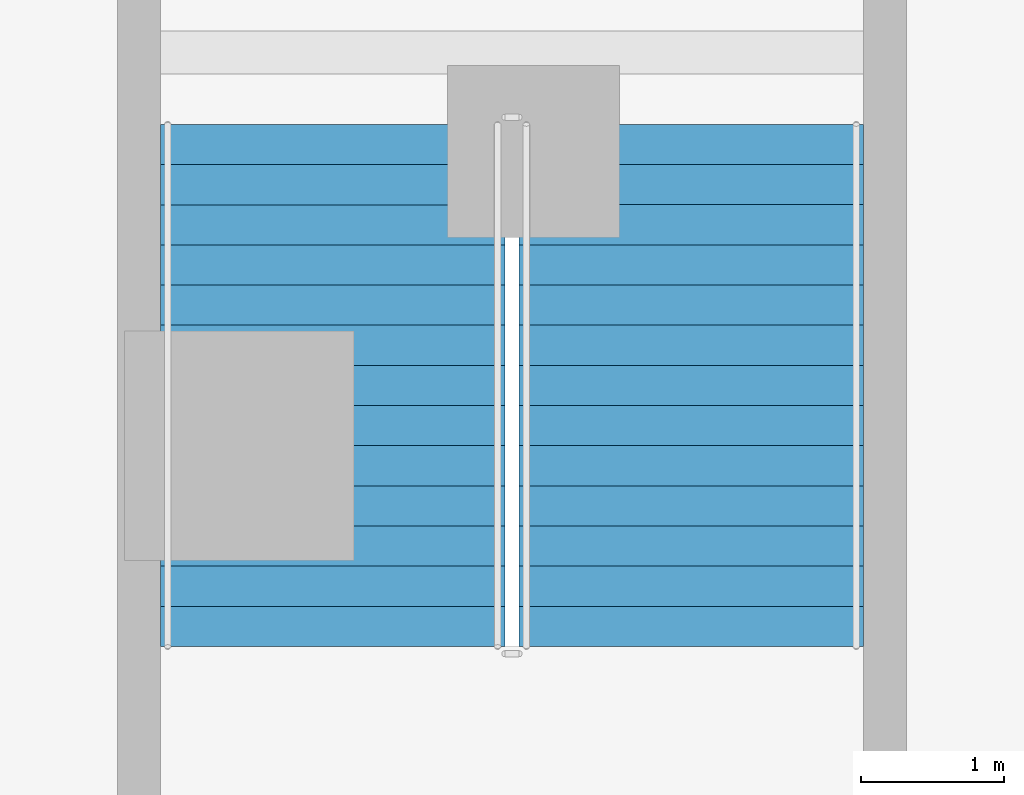
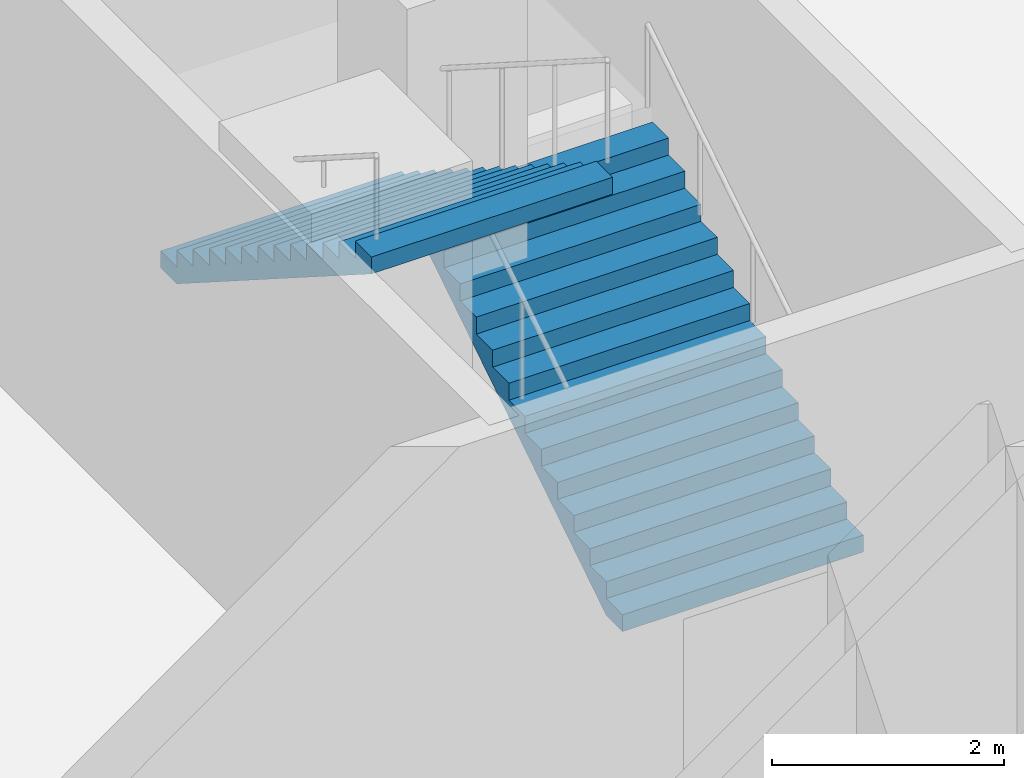
# One storey, part 17 of 31: 2 stair flights, 1 element without a shape of its own.
"""IFC4 building model written with IfcOpenShell, lengths in metres."""

from ifc_helpers import new_model, si_unit, direction, frame, origin, place, context, subcontext, project, spatial, triangles, source, transform, mapped, material, type_object, element, aggregate, save


model = new_model("IFC4")

# Units and contexts
model_context = context("Model", 3, precision=1e-05, world=origin(), true_north=direction((0.0, 1.0)))
body_context = subcontext(model_context, "Body", "Model", "MODEL_VIEW")
ifc_project = project(units=[si_unit("LENGTHUNIT", "METRE"), si_unit("AREAUNIT", "SQUARE_METRE"), si_unit("VOLUMEUNIT", "CUBIC_METRE"), si_unit("PLANEANGLEUNIT", "RADIAN"), si_unit("MASSUNIT", "GRAM", prefix="KILO")], contexts=[model_context])

# Site, building, storey
site_placement = place(None, origin())
site = spatial("IfcSite", under=ifc_project, at=site_placement, CompositionType="ELEMENT")
building_placement = place(site_placement, origin())
building = spatial("IfcBuilding", under=site, at=building_placement, Name="Ogive Portal Towers", CompositionType="ELEMENT")
storey_placement = place(building_placement, frame((0.0, 0.0, 13.5)))
storey = spatial("IfcBuildingStorey", under=building, at=storey_placement, Name="L02", CompositionType="ELEMENT", Elevation=13.5)

# Stair, stair flights
ifc_material = material(Name="Concrete C40/50", Category="concrete")
stair_type = type_object("IfcStairType", Name="INT-STAIR", PredefinedType="HALF_TURN_STAIR", material=ifc_material)
stair_placement = place(storey_placement, origin())
stair = element("IfcStair", 1, at=stair_placement, inside=storey, type_object=stair_type, Name="L02 Exit Stair ST-P1", PredefinedType="HALF_TURN_STAIR")
stair_flight_type = type_object("IfcStairFlightType", Name="INT-FLIGHT", PredefinedType="STRAIGHT", material=ifc_material)
shared_shape = source(origin(), body_context, "Body", "Tessellation", [
    triangles([(0.0, -1.199951171875, 0.0), (0.0, -0.6943359375, 0.0), (0.0, -0.35546875, 0.0), (0.0, -0.14990234375, 0.0), (0.0, -0.04443359375, 0.0), (0.0, -0.005615234375, 0.0), (0.0, 0.0, 0.0), (0.0, 0.005615234375, 0.0), (0.0, 0.04443359375, 0.0), (0.0, 0.14990234375, 0.0), (0.0, 0.35546875, 0.0), (0.0, 0.6943359375, 0.0), (0.0, 1.199951171875, 0.0), (0.0, -1.199951171875, 0.178466796875), (0.0, -0.6943359375, 0.178466796875), (0.0, -0.35546875, 0.178466796875), (0.0, -0.14990234375, 0.178466796875), (0.0, -0.04443359375, 0.178466796875), (0.0, -0.005615234375, 0.178466796875), (0.0, 0.0, 0.178466796875), (0.0, 0.005615234375, 0.178466796875), (0.0, 0.04443359375, 0.178466796875), (0.0, 0.14990234375, 0.178466796875), (0.0, 0.35546875, 0.178466796875), (0.0, 0.6943359375, 0.178466796875), (0.0, 1.199951171875, 0.178466796875), (0.280029296875, -1.199951171875, 0.178466796875), (0.280029296875, -0.6943359375, 0.178466796875), (0.280029296875, -0.35546875, 0.178466796875), (0.280029296875, -0.14990234375, 0.178466796875), (0.280029296875, -0.04443359375, 0.178466796875), (0.280029296875, -0.005615234375, 0.178466796875), (0.280029296875, 0.0, 0.178466796875), (0.280029296875, 0.005615234375, 0.178466796875), (0.280029296875, 0.04443359375, 0.178466796875), (0.280029296875, 0.14990234375, 0.178466796875), (0.280029296875, 0.35546875, 0.178466796875), (0.280029296875, 0.6943359375, 0.178466796875), (0.280029296875, 1.199951171875, 0.178466796875), (0.280029296875, -1.199951171875, 0.357177734375), (0.280029296875, -0.6943359375, 0.357177734375), (0.280029296875, -0.35546875, 0.357177734375), (0.280029296875, -0.14990234375, 0.357177734375), (0.280029296875, -0.04443359375, 0.357177734375), (0.280029296875, -0.005615234375, 0.357177734375), (0.280029296875, 0.0, 0.357177734375), (0.280029296875, 0.005615234375, 0.357177734375), (0.280029296875, 0.04443359375, 0.357177734375), (0.280029296875, 0.14990234375, 0.357177734375), (0.280029296875, 0.35546875, 0.357177734375), (0.280029296875, 0.6943359375, 0.357177734375), (0.280029296875, 1.199951171875, 0.357177734375), (0.56005859375, -1.199951171875, 0.357177734375), (0.56005859375, -0.6943359375, 0.357177734375), (0.56005859375, -0.35546875, 0.357177734375), (0.56005859375, -0.14990234375, 0.357177734375), (0.56005859375, -0.04443359375, 0.357177734375), (0.56005859375, -0.005615234375, 0.357177734375), (0.56005859375, 0.0, 0.357177734375), (0.56005859375, 0.005615234375, 0.357177734375), (0.56005859375, 0.04443359375, 0.357177734375), (0.56005859375, 0.14990234375, 0.357177734375), (0.56005859375, 0.35546875, 0.357177734375), (0.56005859375, 0.6943359375, 0.357177734375), (0.56005859375, 1.199951171875, 0.357177734375), (0.56005859375, -1.199951171875, 0.53564453125), (0.56005859375, -0.6943359375, 0.53564453125), (0.56005859375, -0.35546875, 0.53564453125), (0.56005859375, -0.14990234375, 0.53564453125), (0.56005859375, -0.04443359375, 0.53564453125), (0.56005859375, -0.005615234375, 0.53564453125), (0.56005859375, 0.0, 0.53564453125), (0.56005859375, 0.005615234375, 0.53564453125), (0.56005859375, 0.04443359375, 0.53564453125), (0.56005859375, 0.14990234375, 0.53564453125), (0.56005859375, 0.35546875, 0.53564453125), (0.56005859375, 0.6943359375, 0.53564453125), (0.56005859375, 1.199951171875, 0.53564453125), (0.840087890625, -1.199951171875, 0.53564453125), (0.840087890625, -0.6943359375, 0.53564453125), (0.840087890625, -0.35546875, 0.53564453125), (0.840087890625, -0.14990234375, 0.53564453125), (0.840087890625, -0.04443359375, 0.53564453125), (0.840087890625, -0.005615234375, 0.53564453125), (0.840087890625, 0.0, 0.53564453125), (0.840087890625, 0.005615234375, 0.53564453125), (0.840087890625, 0.04443359375, 0.53564453125), (0.840087890625, 0.14990234375, 0.53564453125), (0.840087890625, 0.35546875, 0.53564453125), (0.840087890625, 0.6943359375, 0.53564453125), (0.840087890625, 1.199951171875, 0.53564453125), (0.840087890625, -1.199951171875, 0.71435546875), (0.840087890625, -0.6943359375, 0.71435546875), (0.840087890625, -0.35546875, 0.71435546875), (0.840087890625, -0.14990234375, 0.71435546875), (0.840087890625, -0.04443359375, 0.71435546875), (0.840087890625, -0.005615234375, 0.71435546875), (0.840087890625, 0.0, 0.71435546875), (0.840087890625, 0.005615234375, 0.71435546875), (0.840087890625, 0.04443359375, 0.71435546875), (0.840087890625, 0.14990234375, 0.71435546875), (0.840087890625, 0.35546875, 0.71435546875), (0.840087890625, 0.6943359375, 0.71435546875), (0.840087890625, 1.199951171875, 0.71435546875), (1.1201171875, -1.199951171875, 0.71435546875), (1.1201171875, -0.6943359375, 0.71435546875), (1.1201171875, -0.35546875, 0.71435546875), (1.1201171875, -0.14990234375, 0.71435546875), (1.1201171875, -0.04443359375, 0.71435546875), (1.1201171875, -0.005615234375, 0.71435546875), (1.1201171875, 0.0, 0.71435546875), (1.1201171875, 0.005615234375, 0.71435546875), (1.1201171875, 0.04443359375, 0.71435546875), (1.1201171875, 0.14990234375, 0.71435546875), (1.1201171875, 0.35546875, 0.71435546875), (1.1201171875, 0.6943359375, 0.71435546875), (1.1201171875, 1.199951171875, 0.71435546875), (1.1201171875, -1.199951171875, 0.892822265625), (1.1201171875, -0.6943359375, 0.892822265625), (1.1201171875, -0.35546875, 0.892822265625), (1.1201171875, -0.14990234375, 0.892822265625), (1.1201171875, -0.04443359375, 0.892822265625), (1.1201171875, -0.005615234375, 0.892822265625), (1.1201171875, 0.0, 0.892822265625), (1.1201171875, 0.005615234375, 0.892822265625), (1.1201171875, 0.04443359375, 0.892822265625), (1.1201171875, 0.14990234375, 0.892822265625), (1.1201171875, 0.35546875, 0.892822265625), (1.1201171875, 0.6943359375, 0.892822265625), (1.1201171875, 1.199951171875, 0.892822265625), (1.39990234375, -1.199951171875, 0.892822265625), (1.39990234375, -0.6943359375, 0.892822265625), (1.39990234375, -0.35546875, 0.892822265625), (1.39990234375, -0.14990234375, 0.892822265625), (1.39990234375, -0.04443359375, 0.892822265625), (1.39990234375, -0.005615234375, 0.892822265625), (1.39990234375, 0.0, 0.892822265625), (1.39990234375, 0.005615234375, 0.892822265625), (1.39990234375, 0.04443359375, 0.892822265625), (1.39990234375, 0.14990234375, 0.892822265625), (1.39990234375, 0.35546875, 0.892822265625), (1.39990234375, 0.6943359375, 0.892822265625), (1.39990234375, 1.199951171875, 0.892822265625), (1.39990234375, -1.199951171875, 1.071533203125), (1.39990234375, -0.6943359375, 1.071533203125), (1.39990234375, -0.35546875, 1.071533203125), (1.39990234375, -0.14990234375, 1.071533203125), (1.39990234375, -0.04443359375, 1.071533203125), (1.39990234375, -0.005615234375, 1.071533203125), (1.39990234375, 0.0, 1.071533203125), (1.39990234375, 0.005615234375, 1.071533203125), (1.39990234375, 0.04443359375, 1.071533203125), (1.39990234375, 0.14990234375, 1.071533203125), (1.39990234375, 0.35546875, 1.071533203125), (1.39990234375, 0.6943359375, 1.071533203125), (1.39990234375, 1.199951171875, 1.071533203125), (1.679931640625, -1.199951171875, 1.071533203125), (1.679931640625, -0.6943359375, 1.071533203125), (1.679931640625, -0.35546875, 1.071533203125), (1.679931640625, -0.14990234375, 1.071533203125), (1.679931640625, -0.04443359375, 1.071533203125), (1.679931640625, -0.005615234375, 1.071533203125), (1.679931640625, 0.0, 1.071533203125), (1.679931640625, 0.005615234375, 1.071533203125), (1.679931640625, 0.04443359375, 1.071533203125), (1.679931640625, 0.14990234375, 1.071533203125), (1.679931640625, 0.35546875, 1.071533203125), (1.679931640625, 0.6943359375, 1.071533203125), (1.679931640625, 1.199951171875, 1.071533203125), (1.679931640625, -1.199951171875, 1.25), (1.679931640625, -0.6943359375, 1.25), (1.679931640625, -0.35546875, 1.25), (1.679931640625, -0.14990234375, 1.25), (1.679931640625, -0.04443359375, 1.25), (1.679931640625, -0.005615234375, 1.25), (1.679931640625, 0.0, 1.25), (1.679931640625, 0.005615234375, 1.25), (1.679931640625, 0.04443359375, 1.25), (1.679931640625, 0.14990234375, 1.25), (1.679931640625, 0.35546875, 1.25), (1.679931640625, 0.6943359375, 1.25), (1.679931640625, 1.199951171875, 1.25), (1.9599609375, -1.199951171875, 1.25), (1.9599609375, -0.6943359375, 1.25), (1.9599609375, -0.35546875, 1.25), (1.9599609375, -0.14990234375, 1.25), (1.9599609375, -0.04443359375, 1.25), (1.9599609375, -0.005615234375, 1.25), (1.9599609375, 0.0, 1.25), (1.9599609375, 0.005615234375, 1.25), (1.9599609375, 0.04443359375, 1.25), (1.9599609375, 0.14990234375, 1.25), (1.9599609375, 0.35546875, 1.25), (1.9599609375, 0.6943359375, 1.25), (1.9599609375, 1.199951171875, 1.25), (1.9599609375, -1.199951171875, 1.428466796875), (1.9599609375, -0.6943359375, 1.428466796875), (1.9599609375, -0.35546875, 1.428466796875), (1.9599609375, -0.14990234375, 1.428466796875), (1.9599609375, -0.04443359375, 1.428466796875), (1.9599609375, -0.005615234375, 1.428466796875), (1.9599609375, 0.0, 1.428466796875), (1.9599609375, 0.005615234375, 1.428466796875), (1.9599609375, 0.04443359375, 1.428466796875), (1.9599609375, 0.14990234375, 1.428466796875), (1.9599609375, 0.35546875, 1.428466796875), (1.9599609375, 0.6943359375, 1.428466796875), (1.9599609375, 1.199951171875, 1.428466796875), (2.239990234375, -1.199951171875, 1.428466796875), (2.239990234375, -0.6943359375, 1.428466796875), (2.239990234375, -0.35546875, 1.428466796875), (2.239990234375, -0.14990234375, 1.428466796875), (2.239990234375, -0.04443359375, 1.428466796875), (2.239990234375, -0.005615234375, 1.428466796875), (2.239990234375, 0.0, 1.428466796875), (2.239990234375, 0.005615234375, 1.428466796875), (2.239990234375, 0.04443359375, 1.428466796875), (2.239990234375, 0.14990234375, 1.428466796875), (2.239990234375, 0.35546875, 1.428466796875), (2.239990234375, 0.6943359375, 1.428466796875), (2.239990234375, 1.199951171875, 1.428466796875), (2.239990234375, -1.199951171875, 1.607177734375), (2.239990234375, -0.6943359375, 1.607177734375), (2.239990234375, -0.35546875, 1.607177734375), (2.239990234375, -0.14990234375, 1.607177734375), (2.239990234375, -0.04443359375, 1.607177734375), (2.239990234375, -0.005615234375, 1.607177734375), (2.239990234375, 0.0, 1.607177734375), (2.239990234375, 0.005615234375, 1.607177734375), (2.239990234375, 0.04443359375, 1.607177734375), (2.239990234375, 0.14990234375, 1.607177734375), (2.239990234375, 0.35546875, 1.607177734375), (2.239990234375, 0.6943359375, 1.607177734375), (2.239990234375, 1.199951171875, 1.607177734375), (2.52001953125, -1.199951171875, 1.607177734375), (2.52001953125, -0.6943359375, 1.607177734375), (2.52001953125, -0.35546875, 1.607177734375), (2.52001953125, -0.14990234375, 1.607177734375), (2.52001953125, -0.04443359375, 1.607177734375), (2.52001953125, -0.005615234375, 1.607177734375), (2.52001953125, 0.0, 1.607177734375), (2.52001953125, 0.005615234375, 1.607177734375), (2.52001953125, 0.04443359375, 1.607177734375), (2.52001953125, 0.14990234375, 1.607177734375), (2.52001953125, 0.35546875, 1.607177734375), (2.52001953125, 0.6943359375, 1.607177734375), (2.52001953125, 1.199951171875, 1.607177734375), (2.52001953125, -1.199951171875, 1.78564453125), (2.52001953125, -0.6943359375, 1.78564453125), (2.52001953125, -0.35546875, 1.78564453125), (2.52001953125, -0.14990234375, 1.78564453125), (2.52001953125, -0.04443359375, 1.78564453125), (2.52001953125, -0.005615234375, 1.78564453125), (2.52001953125, 0.0, 1.78564453125), (2.52001953125, 0.005615234375, 1.78564453125), (2.52001953125, 0.04443359375, 1.78564453125), (2.52001953125, 0.14990234375, 1.78564453125), (2.52001953125, 0.35546875, 1.78564453125), (2.52001953125, 0.6943359375, 1.78564453125), (2.52001953125, 1.199951171875, 1.78564453125), (2.800048828125, -1.199951171875, 1.78564453125), (2.800048828125, -0.6943359375, 1.78564453125), (2.800048828125, -0.35546875, 1.78564453125), (2.800048828125, -0.14990234375, 1.78564453125), (2.800048828125, -0.04443359375, 1.78564453125), (2.800048828125, -0.005615234375, 1.78564453125), (2.800048828125, 0.0, 1.78564453125), (2.800048828125, 0.005615234375, 1.78564453125), (2.800048828125, 0.04443359375, 1.78564453125), (2.800048828125, 0.14990234375, 1.78564453125), (2.800048828125, 0.35546875, 1.78564453125), (2.800048828125, 0.6943359375, 1.78564453125), (2.800048828125, 1.199951171875, 1.78564453125), (2.800048828125, -1.199951171875, 1.96435546875), (2.800048828125, -0.6943359375, 1.96435546875), (2.800048828125, -0.35546875, 1.96435546875), (2.800048828125, -0.14990234375, 1.96435546875), (2.800048828125, -0.04443359375, 1.96435546875), (2.800048828125, -0.005615234375, 1.96435546875), (2.800048828125, 0.0, 1.96435546875), (2.800048828125, 0.005615234375, 1.96435546875), (2.800048828125, 0.04443359375, 1.96435546875), (2.800048828125, 0.14990234375, 1.96435546875), (2.800048828125, 0.35546875, 1.96435546875), (2.800048828125, 0.6943359375, 1.96435546875), (2.800048828125, 1.199951171875, 1.96435546875), (3.080078125, -1.199951171875, 1.96435546875), (3.080078125, -0.6943359375, 1.96435546875), (3.080078125, -0.35546875, 1.96435546875), (3.080078125, -0.14990234375, 1.96435546875), (3.080078125, -0.04443359375, 1.96435546875), (3.080078125, -0.005615234375, 1.96435546875), (3.080078125, 0.0, 1.96435546875), (3.080078125, 0.005615234375, 1.96435546875), (3.080078125, 0.04443359375, 1.96435546875), (3.080078125, 0.14990234375, 1.96435546875), (3.080078125, 0.35546875, 1.96435546875), (3.080078125, 0.6943359375, 1.96435546875), (3.080078125, 1.199951171875, 1.96435546875), (3.080078125, -1.199951171875, 2.142822265625), (3.080078125, -0.6943359375, 2.142822265625), (3.080078125, -0.35546875, 2.142822265625), (3.080078125, -0.14990234375, 2.142822265625), (3.080078125, -0.04443359375, 2.142822265625), (3.080078125, -0.005615234375, 2.142822265625), (3.080078125, 0.0, 2.142822265625), (3.080078125, 0.005615234375, 2.142822265625), (3.080078125, 0.04443359375, 2.142822265625), (3.080078125, 0.14990234375, 2.142822265625), (3.080078125, 0.35546875, 2.142822265625), (3.080078125, 0.6943359375, 2.142822265625), (3.080078125, 1.199951171875, 2.142822265625), (3.360107421875, -1.199951171875, 2.142822265625), (3.360107421875, -0.6943359375, 2.142822265625), (3.360107421875, -0.35546875, 2.142822265625), (3.360107421875, -0.14990234375, 2.142822265625), (3.360107421875, -0.04443359375, 2.142822265625), (3.360107421875, -0.005615234375, 2.142822265625), (3.360107421875, 0.0, 2.142822265625), (3.360107421875, 0.005615234375, 2.142822265625), (3.360107421875, 0.04443359375, 2.142822265625), (3.360107421875, 0.14990234375, 2.142822265625), (3.360107421875, 0.35546875, 2.142822265625), (3.360107421875, 0.6943359375, 2.142822265625), (3.360107421875, 1.199951171875, 2.142822265625), (3.360107421875, -1.199951171875, 2.321533203125), (3.360107421875, -0.6943359375, 2.321533203125), (3.360107421875, -0.35546875, 2.321533203125), (3.360107421875, -0.14990234375, 2.321533203125), (3.360107421875, -0.04443359375, 2.321533203125), (3.360107421875, -0.005615234375, 2.321533203125), (3.360107421875, 0.0, 2.321533203125), (3.360107421875, 0.005615234375, 2.321533203125), (3.360107421875, 0.04443359375, 2.321533203125), (3.360107421875, 0.14990234375, 2.321533203125), (3.360107421875, 0.35546875, 2.321533203125), (3.360107421875, 0.6943359375, 2.321533203125), (3.360107421875, 1.199951171875, 2.321533203125), (3.639892578125, -1.199951171875, 2.321533203125), (3.639892578125, -0.6943359375, 2.321533203125), (3.639892578125, -0.35546875, 2.321533203125), (3.639892578125, -0.14990234375, 2.321533203125), (3.639892578125, -0.04443359375, 2.321533203125), (3.639892578125, -0.005615234375, 2.321533203125), (3.639892578125, 0.0, 2.321533203125), (3.639892578125, 0.005615234375, 2.321533203125), (3.639892578125, 0.04443359375, 2.321533203125), (3.639892578125, 0.14990234375, 2.321533203125), (3.639892578125, 0.35546875, 2.321533203125), (3.639892578125, 0.6943359375, 2.321533203125), (3.639892578125, 1.199951171875, 2.321533203125), (3.639892578125, -1.199951171875, 2.1435546875), (3.639892578125, -0.6943359375, 2.1435546875), (3.639892578125, -0.35546875, 2.1435546875), (3.639892578125, -0.14990234375, 2.1435546875), (3.639892578125, -0.04443359375, 2.1435546875), (3.639892578125, -0.005615234375, 2.1435546875), (3.639892578125, 0.0, 2.1435546875), (3.639892578125, 0.005615234375, 2.1435546875), (3.639892578125, 0.04443359375, 2.1435546875), (3.639892578125, 0.14990234375, 2.1435546875), (3.639892578125, 0.35546875, 2.1435546875), (3.639892578125, 0.6943359375, 2.1435546875), (3.639892578125, 1.199951171875, 2.1435546875), (0.27880859375, -1.199951171875, 0.0), (0.27880859375, -0.6943359375, 0.0), (0.27880859375, -0.35546875, 0.0), (0.27880859375, -0.14990234375, 0.0), (0.27880859375, -0.04443359375, 0.0), (0.27880859375, -0.005615234375, 0.0), (0.27880859375, 0.0, 0.0), (0.27880859375, 0.005615234375, 0.0), (0.27880859375, 0.04443359375, 0.0), (0.27880859375, 0.14990234375, 0.0), (0.27880859375, 0.35546875, 0.0), (0.27880859375, 0.6943359375, 0.0), (0.27880859375, 1.199951171875, 0.0)], [[1, 14, 15], [1, 15, 2], [2, 15, 16], [2, 16, 3], [3, 16, 17], [3, 17, 4], [4, 17, 18], [4, 18, 5], [5, 18, 19], [5, 19, 6], [6, 19, 20], [6, 20, 7], [7, 20, 21], [7, 21, 8], [8, 21, 22], [8, 22, 9], [9, 22, 23], [9, 23, 10], [10, 23, 24], [10, 24, 11], [11, 24, 25], [11, 25, 12], [12, 25, 26], [12, 26, 13], [14, 27, 28], [14, 28, 15], [15, 28, 29], [15, 29, 16], [16, 29, 30], [16, 30, 17], [17, 30, 31], [17, 31, 18], [18, 31, 32], [18, 32, 19], [19, 32, 33], [19, 33, 20], [20, 33, 34], [20, 34, 21], [21, 34, 35], [21, 35, 22], [22, 35, 36], [22, 36, 23], [23, 36, 37], [23, 37, 24], [24, 37, 38], [24, 38, 25], [25, 38, 39], [25, 39, 26], [27, 40, 41], [27, 41, 28], [28, 41, 42], [28, 42, 29], [29, 42, 43], [29, 43, 30], [30, 43, 44], [30, 44, 31], [31, 44, 45], [31, 45, 32], [32, 45, 46], [32, 46, 33], [33, 46, 47], [33, 47, 34], [34, 47, 48], [34, 48, 35], [35, 48, 49], [35, 49, 36], [36, 49, 50], [36, 50, 37], [37, 50, 51], [37, 51, 38], [38, 51, 52], [38, 52, 39], [40, 53, 54], [40, 54, 41], [41, 54, 55], [41, 55, 42], [42, 55, 56], [42, 56, 43], [43, 56, 57], [43, 57, 44], [44, 57, 58], [44, 58, 45], [45, 58, 59], [45, 59, 46], [46, 59, 60], [46, 60, 47], [47, 60, 61], [47, 61, 48], [48, 61, 62], [48, 62, 49], [49, 62, 63], [49, 63, 50], [50, 63, 64], [50, 64, 51], [51, 64, 65], [51, 65, 52], [53, 66, 67], [53, 67, 54], [54, 67, 68], [54, 68, 55], [55, 68, 69], [55, 69, 56], [56, 69, 70], [56, 70, 57], [57, 70, 71], [57, 71, 58], [58, 71, 72], [58, 72, 59], [59, 72, 73], [59, 73, 60], [60, 73, 74], [60, 74, 61], [61, 74, 75], [61, 75, 62], [62, 75, 76], [62, 76, 63], [63, 76, 77], [63, 77, 64], [64, 77, 78], [64, 78, 65], [66, 79, 80], [66, 80, 67], [67, 80, 81], [67, 81, 68], [68, 81, 82], [68, 82, 69], [69, 82, 83], [69, 83, 70], [70, 83, 84], [70, 84, 71], [71, 84, 85], [71, 85, 72], [72, 85, 86], [72, 86, 73], [73, 86, 87], [73, 87, 74], [74, 87, 88], [74, 88, 75], [75, 88, 89], [75, 89, 76], [76, 89, 90], [76, 90, 77], [77, 90, 91], [77, 91, 78], [79, 92, 93], [79, 93, 80], [80, 93, 94], [80, 94, 81], [81, 94, 95], [81, 95, 82], [82, 95, 96], [82, 96, 83], [83, 96, 97], [83, 97, 84], [84, 97, 98], [84, 98, 85], [85, 98, 99], [85, 99, 86], [86, 99, 100], [86, 100, 87], [87, 100, 101], [87, 101, 88], [88, 101, 102], [88, 102, 89], [89, 102, 103], [89, 103, 90], [90, 103, 104], [90, 104, 91], [92, 105, 106], [92, 106, 93], [93, 106, 107], [93, 107, 94], [94, 107, 108], [94, 108, 95], [95, 108, 109], [95, 109, 96], [96, 109, 110], [96, 110, 97], [97, 110, 111], [97, 111, 98], [98, 111, 112], [98, 112, 99], [99, 112, 113], [99, 113, 100], [100, 113, 114], [100, 114, 101], [101, 114, 115], [101, 115, 102], [102, 115, 116], [102, 116, 103], [103, 116, 117], [103, 117, 104], [105, 118, 119], [105, 119, 106], [106, 119, 120], [106, 120, 107], [107, 120, 121], [107, 121, 108], [108, 121, 122], [108, 122, 109], [109, 122, 123], [109, 123, 110], [110, 123, 124], [110, 124, 111], [111, 124, 125], [111, 125, 112], [112, 125, 126], [112, 126, 113], [113, 126, 127], [113, 127, 114], [114, 127, 128], [114, 128, 115], [115, 128, 129], [115, 129, 116], [116, 129, 130], [116, 130, 117], [118, 131, 132], [118, 132, 119], [119, 132, 133], [119, 133, 120], [120, 133, 134], [120, 134, 121], [121, 134, 135], [121, 135, 122], [122, 135, 136], [122, 136, 123], [123, 136, 137], [123, 137, 124], [124, 137, 138], [124, 138, 125], [125, 138, 139], [125, 139, 126], [126, 139, 140], [126, 140, 127], [127, 140, 141], [127, 141, 128], [128, 141, 142], [128, 142, 129], [129, 142, 143], [129, 143, 130], [131, 144, 145], [131, 145, 132], [132, 145, 146], [132, 146, 133], [133, 146, 147], [133, 147, 134], [134, 147, 148], [134, 148, 135], [135, 148, 149], [135, 149, 136], [136, 149, 150], [136, 150, 137], [137, 150, 151], [137, 151, 138], [138, 151, 152], [138, 152, 139], [139, 152, 153], [139, 153, 140], [140, 153, 154], [140, 154, 141], [141, 154, 155], [141, 155, 142], [142, 155, 156], [142, 156, 143], [144, 157, 158], [144, 158, 145], [145, 158, 159], [145, 159, 146], [146, 159, 160], [146, 160, 147], [147, 160, 161], [147, 161, 148], [148, 161, 162], [148, 162, 149], [149, 162, 163], [149, 163, 150], [150, 163, 164], [150, 164, 151], [151, 164, 165], [151, 165, 152], [152, 165, 166], [152, 166, 153], [153, 166, 167], [153, 167, 154], [154, 167, 168], [154, 168, 155], [155, 168, 169], [155, 169, 156], [157, 170, 171], [157, 171, 158], [158, 171, 172], [158, 172, 159], [159, 172, 173], [159, 173, 160], [160, 173, 174], [160, 174, 161], [161, 174, 175], [161, 175, 162], [162, 175, 176], [162, 176, 163], [163, 176, 177], [163, 177, 164], [164, 177, 178], [164, 178, 165], [165, 178, 179], [165, 179, 166], [166, 179, 180], [166, 180, 167], [167, 180, 181], [167, 181, 168], [168, 181, 182], [168, 182, 169], [170, 183, 184], [170, 184, 171], [171, 184, 185], [171, 185, 172], [172, 185, 186], [172, 186, 173], [173, 186, 187], [173, 187, 174], [174, 187, 188], [174, 188, 175], [175, 188, 189], [175, 189, 176], [176, 189, 190], [176, 190, 177], [177, 190, 191], [177, 191, 178], [178, 191, 192], [178, 192, 179], [179, 192, 193], [179, 193, 180], [180, 193, 194], [180, 194, 181], [181, 194, 195], [181, 195, 182], [183, 196, 197], [183, 197, 184], [184, 197, 198], [184, 198, 185], [185, 198, 199], [185, 199, 186], [186, 199, 200], [186, 200, 187], [187, 200, 201], [187, 201, 188], [188, 201, 202], [188, 202, 189], [189, 202, 203], [189, 203, 190], [190, 203, 204], [190, 204, 191], [191, 204, 205], [191, 205, 192], [192, 205, 206], [192, 206, 193], [193, 206, 207], [193, 207, 194], [194, 207, 208], [194, 208, 195], [196, 209, 210], [196, 210, 197], [197, 210, 211], [197, 211, 198], [198, 211, 212], [198, 212, 199], [199, 212, 213], [199, 213, 200], [200, 213, 214], [200, 214, 201], [201, 214, 215], [201, 215, 202], [202, 215, 216], [202, 216, 203], [203, 216, 217], [203, 217, 204], [204, 217, 218], [204, 218, 205], [205, 218, 219], [205, 219, 206], [206, 219, 220], [206, 220, 207], [207, 220, 221], [207, 221, 208], [209, 222, 223], [209, 223, 210], [210, 223, 224], [210, 224, 211], [211, 224, 225], [211, 225, 212], [212, 225, 226], [212, 226, 213], [213, 226, 227], [213, 227, 214], [214, 227, 228], [214, 228, 215], [215, 228, 229], [215, 229, 216], [216, 229, 230], [216, 230, 217], [217, 230, 231], [217, 231, 218], [218, 231, 232], [218, 232, 219], [219, 232, 233], [219, 233, 220], [220, 233, 234], [220, 234, 221], [222, 235, 236], [222, 236, 223], [223, 236, 237], [223, 237, 224], [224, 237, 238], [224, 238, 225], [225, 238, 239], [225, 239, 226], [226, 239, 240], [226, 240, 227], [227, 240, 241], [227, 241, 228], [228, 241, 242], [228, 242, 229], [229, 242, 243], [229, 243, 230], [230, 243, 244], [230, 244, 231], [231, 244, 245], [231, 245, 232], [232, 245, 246], [232, 246, 233], [233, 246, 247], [233, 247, 234], [235, 248, 249], [235, 249, 236], [236, 249, 250], [236, 250, 237], [237, 250, 251], [237, 251, 238], [238, 251, 252], [238, 252, 239], [239, 252, 253], [239, 253, 240], [240, 253, 254], [240, 254, 241], [241, 254, 255], [241, 255, 242], [242, 255, 256], [242, 256, 243], [243, 256, 257], [243, 257, 244], [244, 257, 258], [244, 258, 245], [245, 258, 259], [245, 259, 246], [246, 259, 260], [246, 260, 247], [248, 261, 262], [248, 262, 249], [249, 262, 263], [249, 263, 250], [250, 263, 264], [250, 264, 251], [251, 264, 265], [251, 265, 252], [252, 265, 266], [252, 266, 253], [253, 266, 267], [253, 267, 254], [254, 267, 268], [254, 268, 255], [255, 268, 269], [255, 269, 256], [256, 269, 270], [256, 270, 257], [257, 270, 271], [257, 271, 258], [258, 271, 272], [258, 272, 259], [259, 272, 273], [259, 273, 260], [261, 274, 275], [261, 275, 262], [262, 275, 276], [262, 276, 263], [263, 276, 277], [263, 277, 264], [264, 277, 278], [264, 278, 265], [265, 278, 279], [265, 279, 266], [266, 279, 280], [266, 280, 267], [267, 280, 281], [267, 281, 268], [268, 281, 282], [268, 282, 269], [269, 282, 283], [269, 283, 270], [270, 283, 284], [270, 284, 271], [271, 284, 285], [271, 285, 272], [272, 285, 286], [272, 286, 273], [274, 287, 288], [274, 288, 275], [275, 288, 289], [275, 289, 276], [276, 289, 290], [276, 290, 277], [277, 290, 291], [277, 291, 278], [278, 291, 292], [278, 292, 279], [279, 292, 293], [279, 293, 280], [280, 293, 294], [280, 294, 281], [281, 294, 295], [281, 295, 282], [282, 295, 296], [282, 296, 283], [283, 296, 297], [283, 297, 284], [284, 297, 298], [284, 298, 285], [285, 298, 299], [285, 299, 286], [287, 300, 301], [287, 301, 288], [288, 301, 302], [288, 302, 289], [289, 302, 303], [289, 303, 290], [290, 303, 304], [290, 304, 291], [291, 304, 305], [291, 305, 292], [292, 305, 306], [292, 306, 293], [293, 306, 307], [293, 307, 294], [294, 307, 308], [294, 308, 295], [295, 308, 309], [295, 309, 296], [296, 309, 310], [296, 310, 297], [297, 310, 311], [297, 311, 298], [298, 311, 312], [298, 312, 299], [300, 313, 314], [300, 314, 301], [301, 314, 315], [301, 315, 302], [302, 315, 316], [302, 316, 303], [303, 316, 317], [303, 317, 304], [304, 317, 318], [304, 318, 305], [305, 318, 319], [305, 319, 306], [306, 319, 320], [306, 320, 307], [307, 320, 321], [307, 321, 308], [308, 321, 322], [308, 322, 309], [309, 322, 323], [309, 323, 310], [310, 323, 324], [310, 324, 311], [311, 324, 325], [311, 325, 312], [313, 326, 327], [313, 327, 314], [314, 327, 328], [314, 328, 315], [315, 328, 329], [315, 329, 316], [316, 329, 330], [316, 330, 317], [317, 330, 331], [317, 331, 318], [318, 331, 332], [318, 332, 319], [319, 332, 333], [319, 333, 320], [320, 333, 334], [320, 334, 321], [321, 334, 335], [321, 335, 322], [322, 335, 336], [322, 336, 323], [323, 336, 337], [323, 337, 324], [324, 337, 338], [324, 338, 325], [326, 339, 340], [326, 340, 327], [327, 340, 341], [327, 341, 328], [328, 341, 342], [328, 342, 329], [329, 342, 343], [329, 343, 330], [330, 343, 344], [330, 344, 331], [331, 344, 345], [331, 345, 332], [332, 345, 346], [332, 346, 333], [333, 346, 347], [333, 347, 334], [334, 347, 348], [334, 348, 335], [335, 348, 349], [335, 349, 336], [336, 349, 350], [336, 350, 337], [337, 350, 351], [337, 351, 338], [339, 352, 353], [339, 353, 340], [340, 353, 354], [340, 354, 341], [341, 354, 355], [341, 355, 342], [342, 355, 356], [342, 356, 343], [343, 356, 357], [343, 357, 344], [344, 357, 358], [344, 358, 345], [345, 358, 359], [345, 359, 346], [346, 359, 360], [346, 360, 347], [347, 360, 361], [347, 361, 348], [348, 361, 362], [348, 362, 349], [349, 362, 363], [349, 363, 350], [350, 363, 364], [350, 364, 351], [352, 365, 366], [352, 366, 353], [353, 366, 367], [353, 367, 354], [354, 367, 368], [354, 368, 355], [355, 368, 369], [355, 369, 356], [356, 369, 370], [356, 370, 357], [357, 370, 371], [357, 371, 358], [358, 371, 372], [358, 372, 359], [359, 372, 373], [359, 373, 360], [360, 373, 374], [360, 374, 361], [361, 374, 375], [361, 375, 362], [362, 375, 376], [362, 376, 363], [363, 376, 377], [363, 377, 364], [365, 1, 2], [365, 2, 366], [366, 2, 3], [366, 3, 367], [367, 3, 4], [367, 4, 368], [368, 4, 5], [368, 5, 369], [369, 5, 6], [369, 6, 370], [370, 6, 7], [370, 7, 371], [371, 7, 8], [371, 8, 372], [372, 8, 9], [372, 9, 373], [373, 9, 10], [373, 10, 374], [374, 10, 11], [374, 11, 375], [375, 11, 12], [375, 12, 376], [376, 12, 13], [376, 13, 377], [1, 365, 352], [13, 364, 377], [352, 339, 326], [364, 338, 351], [352, 326, 313], [364, 325, 338], [313, 300, 287], [325, 299, 312], [352, 313, 287], [364, 299, 325], [287, 274, 261], [299, 273, 286], [352, 287, 261], [364, 273, 299], [261, 248, 235], [273, 247, 260], [352, 261, 235], [364, 247, 273], [235, 222, 209], [247, 221, 234], [352, 235, 209], [364, 221, 247], [209, 196, 183], [221, 195, 208], [352, 209, 183], [364, 195, 221], [183, 170, 157], [195, 169, 182], [352, 183, 157], [364, 169, 195], [157, 144, 131], [169, 143, 156], [352, 157, 131], [364, 143, 169], [131, 118, 105], [143, 117, 130], [352, 131, 105], [364, 117, 143], [105, 92, 79], [117, 91, 104], [352, 105, 79], [364, 91, 117], [79, 66, 53], [91, 65, 78], [352, 79, 53], [364, 65, 91], [53, 40, 27], [65, 39, 52], [352, 53, 27], [364, 39, 65], [1, 352, 27], [13, 39, 364], [27, 14, 1], [39, 13, 26]], closed=True),
])
stair_flight_1_placement = place(storey_placement, frame((95.60009765625, 36.050048828125, 0.0), z_axis=(0.0, 0.0, 1.0), x_axis=(0.0, 1.0, 0.0)))
stair_flight_1 = element("IfcStairFlight", 2, at=stair_flight_1_placement, type_object=stair_flight_type, Name="ST-P1 flight 1", NumberOfRisers=14, NumberOfTreads=13, PredefinedType="STRAIGHT", RiserHeight=0.178571429, TreadLength=0.28, context=body_context, shape_type="MappedRepresentation", body=[
    mapped(shared_shape, transform((0.0, 0.0, 0.0), scale=1.0)),
])
stair_flight_2_placement = place(storey_placement, frame((93.10009765625, 39.68994140625, 2.5), z_axis=(0.0, 0.0, 1.0), x_axis=(0.0, -1.0, 0.0)))
stair_flight_2 = element("IfcStairFlight", 3, at=stair_flight_2_placement, type_object=stair_flight_type, Name="ST-P1 flight 2", NumberOfRisers=14, NumberOfTreads=13, PredefinedType="STRAIGHT", RiserHeight=0.178571429, TreadLength=0.28, context=body_context, shape_type="MappedRepresentation", body=[
    mapped(shared_shape, transform((0.0, 0.0, 0.0), scale=1.0)),
])
aggregate(stair, [stair_flight_1, stair_flight_2])

save(model, "model.ifc")
